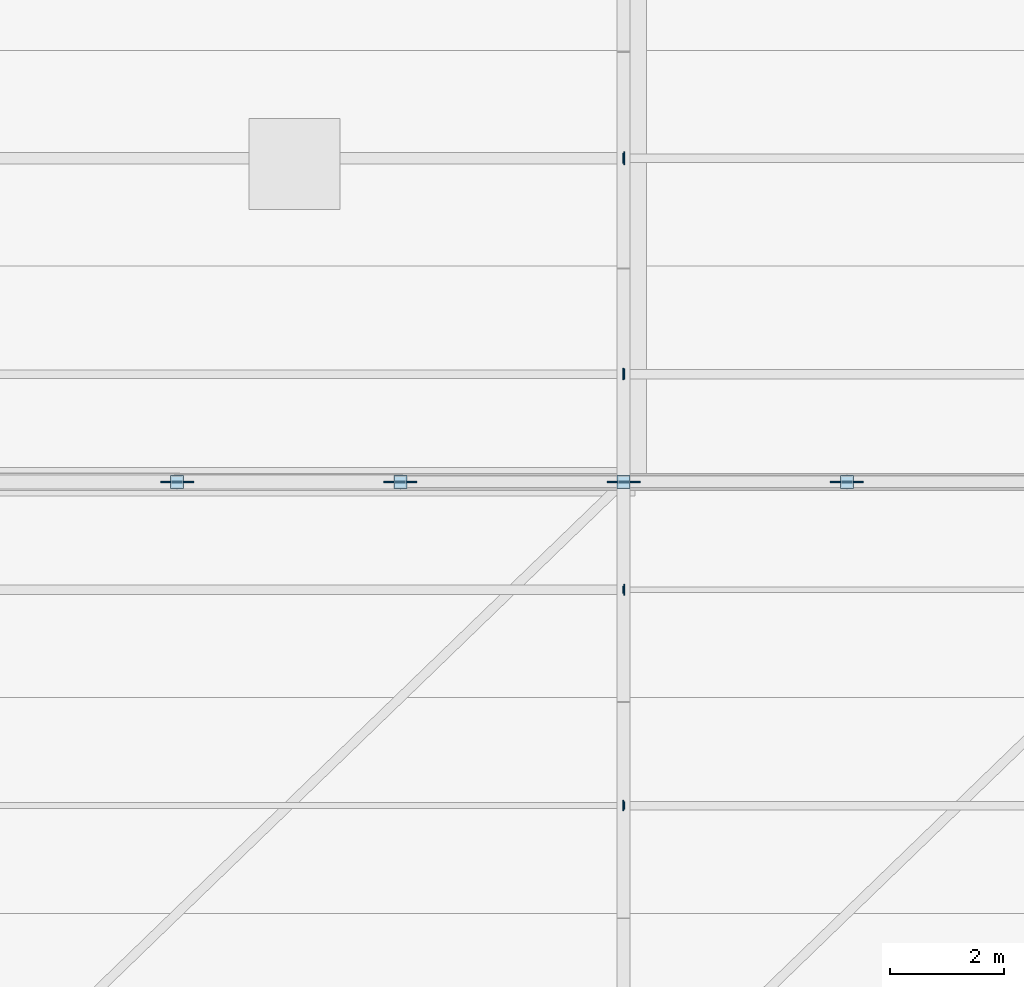
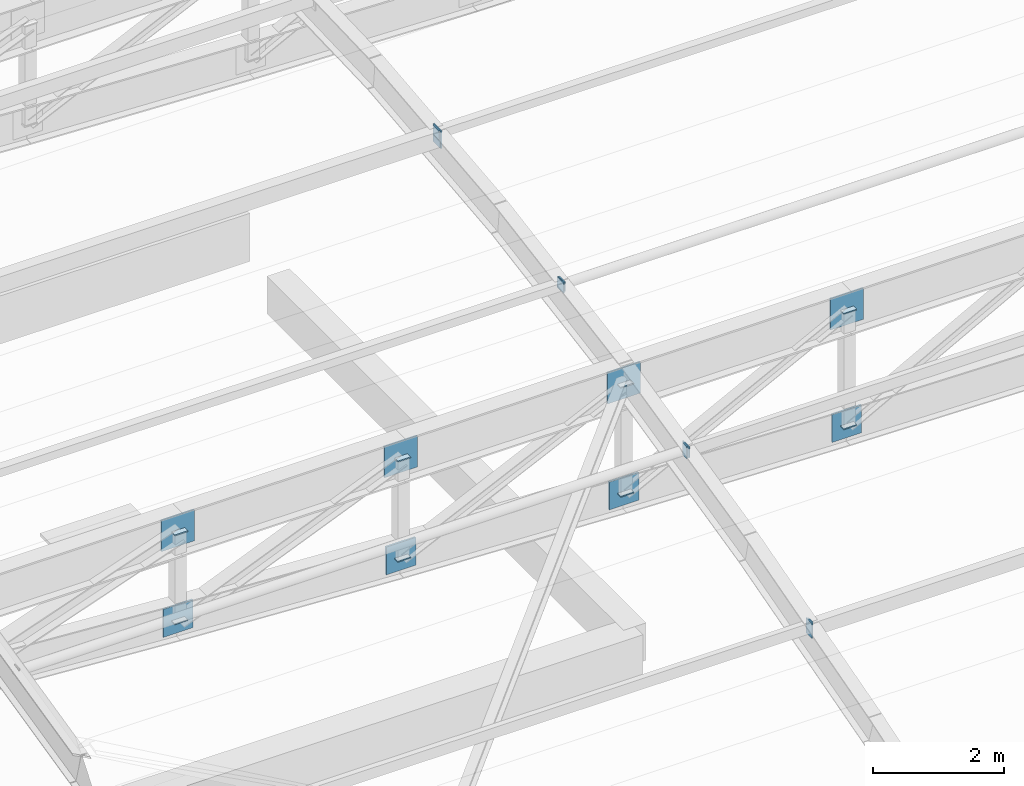
# One storey, part 58 of 65: 24 plates.
"""IFC4 building model written with IfcOpenShell, lengths in metres."""

from ifc_helpers import new_model, si_unit, direction, frame, origin, origin_2d, place, context, subcontext, project, spatial, rectangle, extrude, material, layer, layer_set, type_object, element, save


model = new_model("IFC4")

# Units and contexts
model_context = context("Model", 3, precision=1e-05, world=origin(), true_north=direction((0.0, 1.0)))
body_context = subcontext(model_context, "Body", "Model", "MODEL_VIEW")
ifc_project = project(units=[si_unit("LENGTHUNIT", "METRE"), si_unit("AREAUNIT", "SQUARE_METRE"), si_unit("VOLUMEUNIT", "CUBIC_METRE"), si_unit("PLANEANGLEUNIT", "RADIAN"), si_unit("MASSUNIT", "GRAM", prefix="KILO"), si_unit("POWERUNIT", "WATT"), si_unit("THERMODYNAMICTEMPERATUREUNIT", "KELVIN")], contexts=[model_context])

# Site, building, storey
site_placement = place(None, origin())
site = spatial("IfcSite", under=ifc_project, at=site_placement, CompositionType="ELEMENT")
building_placement = place(site_placement, origin())
building = spatial("IfcBuilding", under=site, at=building_placement, Name="Kelmbourne Parkland Aquatics Centre", CompositionType="ELEMENT")
storey_placement = place(building_placement, frame((0.0, 0.0, 27.0)))
storey = spatial("IfcBuildingStorey", under=building, at=storey_placement, Name="RF", CompositionType="ELEMENT", Elevation=27.0)

# Plates
ifc_material = material(Name="Welded plate steel AS/NZS 3678 Grade 350", Category="steel")
ifc_layer_1 = layer(ifc_material, 0.02001953125)
ifc_layer_set_1 = layer_set([ifc_layer_1], Name="Welded plate steel AS/NZS 3678 Grade 350")
plate_type_1 = type_object("IfcPlateType", Name="PL-CAP-20", PredefinedType="USERDEFINED", material=ifc_layer_set_1)
for number, where, z_axis, x_axis, name in (
    (1, (131.933349609375, 103.39990234375, -1.67529296875), (0.0, 0.0, 1.0), (1.0, 0.0, 0.0), "Hollow end cap plate CAP-0251"),
    (2, (131.933349609375, 103.39990234375, -0.017578125), (0.0, 0.0, 1.0), (1.0, 0.0, 0.0), "Hollow end cap plate CAP-0252"),
    (3, (135.86669921875, 103.39990234375, -1.8876953125), (0.0, 0.0, 1.0), (1.0, 0.0, 0.0), "Hollow end cap plate CAP-0253"),
    (4, (135.86669921875, 103.39990234375, -0.017578125), (0.0, 0.0, 1.0), (1.0, 0.0, 0.0), "Hollow end cap plate CAP-0254"),
    (5, (139.800048828125, 103.39990234375, -2.05322265625), (0.0, 0.0, 1.0), (1.0, 0.0, 0.0), "Hollow end cap plate CAP-0255"),
    (6, (139.800048828125, 103.39990234375, -0.017578125), (0.0, 0.0, 1.0), (1.0, 0.0, 0.0), "Hollow end cap plate CAP-0256"),
    (7, (143.7333984375, 103.39990234375, -2.171142578125), (0.0, 0.0, 1.0), (1.0, 0.0, 0.0), "Hollow end cap plate CAP-0257"),
    (8, (143.7333984375, 103.39990234375, -0.017578125), (0.0, 0.0, 1.0), (1.0, 0.0, 0.0), "Hollow end cap plate CAP-0258"),
):
    element("IfcPlate", number, at=place(storey_placement, frame(where, z_axis=z_axis, x_axis=x_axis)), inside=storey, type_object=plate_type_1, Name=name, ObjectType="END CAP PLATE", PredefinedType="USERDEFINED", context=body_context, shape_type="SweptSolid", body=[
        extrude(rectangle(XDim=0.22998046875, YDim=0.22998046875, at=origin_2d()), origin(), (0.0, 0.0, 1.0), 0.02001953125),
    ])
plate_1_placement = place(storey_placement, frame((139.80908203125, 97.699951171875, -1.222412109375), z_axis=(0.0, 0.0, 1.0), x_axis=(1.0, 0.0, 0.0)))
element("IfcPlate", 9, at=plate_1_placement, inside=storey, type_object=plate_type_1, Name="Hollow end cap plate CAP-0502", ObjectType="END CAP PLATE", PredefinedType="USERDEFINED", context=body_context, shape_type="SweptSolid", body=[
    extrude(rectangle(XDim=0.02001953125, YDim=0.1298828125, at=origin_2d()), origin(), (0.0, 0.0, 1.0), 0.22998046875),
])
plate_2_placement = place(storey_placement, frame((139.791015625, 97.699951171875, -1.2724609375), z_axis=(0.0, 0.0, 1.0), x_axis=(-1.0, 0.0, 0.0)))
element("IfcPlate", 10, at=plate_2_placement, inside=storey, type_object=plate_type_1, Name="Hollow end cap plate CAP-0503", ObjectType="END CAP PLATE", PredefinedType="USERDEFINED", context=body_context, shape_type="SweptSolid", body=[
    extrude(rectangle(XDim=0.02001953125, YDim=0.179931640625, at=origin_2d()), origin(), (0.0, 0.0, 1.0), 0.280029296875),
])
plate_3_placement = place(storey_placement, frame((139.80908203125, 101.5, -0.21142578125), z_axis=(0.0, 0.0, 1.0), x_axis=(1.0, 0.0, 0.0)))
element("IfcPlate", 11, at=plate_3_placement, inside=storey, type_object=plate_type_1, Name="Hollow end cap plate CAP-0510", ObjectType="END CAP PLATE", PredefinedType="USERDEFINED", context=body_context, shape_type="SweptSolid", body=[
    extrude(rectangle(XDim=0.02001953125, YDim=0.1982421875, at=origin_2d()), origin(), (0.0, 0.0, 1.0), 0.1982421875),
])
plate_4_placement = place(storey_placement, frame((139.791015625, 101.5, -0.2431640625), z_axis=(0.0, 0.0, 1.0), x_axis=(-1.0, 0.0, 0.0)))
element("IfcPlate", 12, at=plate_4_placement, inside=storey, type_object=plate_type_1, Name="Hollow end cap plate CAP-0511", ObjectType="END CAP PLATE", PredefinedType="USERDEFINED", context=body_context, shape_type="SweptSolid", body=[
    extrude(rectangle(XDim=0.02001953125, YDim=0.1298828125, at=origin_2d()), origin(), (0.0, 0.0, 1.0), 0.22998046875),
])
plate_5_placement = place(storey_placement, frame((139.80908203125, 105.300048828125, 0.57666015625), z_axis=(0.0, 0.0, 1.0), x_axis=(1.0, 0.0, 0.0)))
element("IfcPlate", 13, at=plate_5_placement, inside=storey, type_object=plate_type_1, Name="Hollow end cap plate CAP-0518", ObjectType="END CAP PLATE", PredefinedType="USERDEFINED", context=body_context, shape_type="SweptSolid", body=[
    extrude(rectangle(XDim=0.02001953125, YDim=0.179931640625, at=origin_2d()), origin(), (0.0, 0.0, 1.0), 0.179931640625),
])
plate_6_placement = place(storey_placement, frame((139.791015625, 105.300048828125, 0.55810546875), z_axis=(0.0, 0.0, 1.0), x_axis=(-1.0, 0.0, 0.0)))
element("IfcPlate", 14, at=plate_6_placement, inside=storey, type_object=plate_type_1, Name="Hollow end cap plate CAP-0519", ObjectType="END CAP PLATE", PredefinedType="USERDEFINED", context=body_context, shape_type="SweptSolid", body=[
    extrude(rectangle(XDim=0.02001953125, YDim=0.1982421875, at=origin_2d()), origin(), (0.0, 0.0, 1.0), 0.1982421875),
])
plate_7_placement = place(storey_placement, frame((139.791015625, 109.10009765625, 1.1064453125), z_axis=(0.0, 0.0, 1.0), x_axis=(-1.0, 0.0, 0.0)))
element("IfcPlate", 15, at=plate_7_placement, inside=storey, type_object=plate_type_1, Name="Hollow end cap plate CAP-0527", ObjectType="END CAP PLATE", PredefinedType="USERDEFINED", context=body_context, shape_type="SweptSolid", body=[
    extrude(rectangle(XDim=0.02001953125, YDim=0.179931640625, at=origin_2d()), origin(), (0.0, 0.0, 1.0), 0.179931640625),
])
ifc_layer_2 = layer(ifc_material, 0.02392578125)
ifc_layer_set_2 = layer_set([ifc_layer_2], Name="Welded plate steel AS/NZS 3678 Grade 350")
plate_type_2 = type_object("IfcPlateType", Name="PL-CAP-24", PredefinedType="USERDEFINED", material=ifc_layer_set_2)
plate_8_placement = place(storey_placement, frame((139.81103515625, 109.10009765625, 0.95654296875), z_axis=(0.0, 0.0, 1.0), x_axis=(1.0, 0.0, 0.0)))
element("IfcPlate", 16, at=plate_8_placement, inside=storey, type_object=plate_type_2, Name="Hollow end cap plate CAP-0526", ObjectType="END CAP PLATE", PredefinedType="USERDEFINED", context=body_context, shape_type="SweptSolid", body=[
    extrude(rectangle(XDim=0.02392578125, YDim=0.22998046875, at=origin_2d()), origin(), (0.0, 0.0, 1.0), 0.330078125),
])
ifc_layer_3 = layer(ifc_material, 0.031982421875)
ifc_layer_set_3 = layer_set([ifc_layer_3], Name="Welded plate steel AS/NZS 3678 Grade 350")
plate_type_3 = type_object("IfcPlateType", Name="PL-GUS-3", PredefinedType="USERDEFINED", material=ifc_layer_set_3)
plate_9_placement = place(storey_placement, frame((131.933349609375, 103.39990234375, -0.306640625), z_axis=(0.0, 0.0, 1.0), x_axis=(1.0, 0.0, 0.0)))
element("IfcPlate", 17, at=plate_9_placement, inside=storey, type_object=plate_type_3, Name="Truss top node TN-3 gusset plate R09-N1", ObjectType="GUSSET PLATE", PredefinedType="USERDEFINED", context=body_context, shape_type="SweptSolid", body=[
    extrude(rectangle(XDim=0.580078125, YDim=0.031982421875, at=origin_2d()), origin(), (0.0, 0.0, 1.0), 0.580078125),
])
plate_10_placement = place(storey_placement, frame((131.933349609375, 103.39990234375, -1.916259765625), z_axis=(0.0, 0.0, 1.0), x_axis=(1.0, 0.0, 0.0)))
element("IfcPlate", 18, at=plate_10_placement, inside=storey, type_object=plate_type_3, Name="Truss bottom node TN-3 gusset plate R09-B1", ObjectType="GUSSET PLATE", PredefinedType="USERDEFINED", context=body_context, shape_type="SweptSolid", body=[
    extrude(rectangle(XDim=0.52001953125, YDim=0.031982421875, at=origin_2d()), origin(), (0.0, 0.0, 1.0), 0.52001953125),
])
plate_11_placement = place(storey_placement, frame((135.86669921875, 103.39990234375, -0.306640625), z_axis=(0.0, 0.0, 1.0), x_axis=(1.0, 0.0, 0.0)))
element("IfcPlate", 19, at=plate_11_placement, inside=storey, type_object=plate_type_3, Name="Truss top node TN-3 gusset plate R09-N2", ObjectType="GUSSET PLATE", PredefinedType="USERDEFINED", context=body_context, shape_type="SweptSolid", body=[
    extrude(rectangle(XDim=0.580078125, YDim=0.031982421875, at=origin_2d()), origin(), (0.0, 0.0, 1.0), 0.580078125),
])
plate_12_placement = place(storey_placement, frame((135.86669921875, 103.39990234375, -2.12890625), z_axis=(0.0, 0.0, 1.0), x_axis=(1.0, 0.0, 0.0)))
element("IfcPlate", 20, at=plate_12_placement, inside=storey, type_object=plate_type_3, Name="Truss bottom node TN-3 gusset plate R09-B2", ObjectType="GUSSET PLATE", PredefinedType="USERDEFINED", context=body_context, shape_type="SweptSolid", body=[
    extrude(rectangle(XDim=0.52001953125, YDim=0.031982421875, at=origin_2d()), origin(), (0.0, 0.0, 1.0), 0.52001953125),
])
plate_13_placement = place(storey_placement, frame((139.800048828125, 103.39990234375, -0.306640625), z_axis=(0.0, 0.0, 1.0), x_axis=(1.0, 0.0, 0.0)))
element("IfcPlate", 21, at=plate_13_placement, inside=storey, type_object=plate_type_3, Name="Truss top node TN-3 gusset plate R09-N3", ObjectType="GUSSET PLATE", PredefinedType="USERDEFINED", context=body_context, shape_type="SweptSolid", body=[
    extrude(rectangle(XDim=0.580078125, YDim=0.031982421875, at=origin_2d()), origin(), (0.0, 0.0, 1.0), 0.580078125),
])
plate_14_placement = place(storey_placement, frame((139.800048828125, 103.39990234375, -2.294189453125), z_axis=(0.0, 0.0, 1.0), x_axis=(1.0, 0.0, 0.0)))
element("IfcPlate", 22, at=plate_14_placement, inside=storey, type_object=plate_type_3, Name="Truss bottom node TN-3 gusset plate R09-B3", ObjectType="GUSSET PLATE", PredefinedType="USERDEFINED", context=body_context, shape_type="SweptSolid", body=[
    extrude(rectangle(XDim=0.52001953125, YDim=0.031982421875, at=origin_2d()), origin(), (0.0, 0.0, 1.0), 0.52001953125),
])
plate_15_placement = place(storey_placement, frame((143.7333984375, 103.39990234375, -0.306640625), z_axis=(0.0, 0.0, 1.0), x_axis=(1.0, 0.0, 0.0)))
element("IfcPlate", 23, at=plate_15_placement, inside=storey, type_object=plate_type_3, Name="Truss top node TN-3 gusset plate R09-N4", ObjectType="GUSSET PLATE", PredefinedType="USERDEFINED", context=body_context, shape_type="SweptSolid", body=[
    extrude(rectangle(XDim=0.580078125, YDim=0.031982421875, at=origin_2d()), origin(), (0.0, 0.0, 1.0), 0.580078125),
])
plate_16_placement = place(storey_placement, frame((143.7333984375, 103.39990234375, -2.412109375), z_axis=(0.0, 0.0, 1.0), x_axis=(1.0, 0.0, 0.0)))
element("IfcPlate", 24, at=plate_16_placement, inside=storey, type_object=plate_type_3, Name="Truss bottom node TN-3 gusset plate R09-B4", ObjectType="GUSSET PLATE", PredefinedType="USERDEFINED", context=body_context, shape_type="SweptSolid", body=[
    extrude(rectangle(XDim=0.52001953125, YDim=0.031982421875, at=origin_2d()), origin(), (0.0, 0.0, 1.0), 0.52001953125),
])

save(model, "model.ifc")
